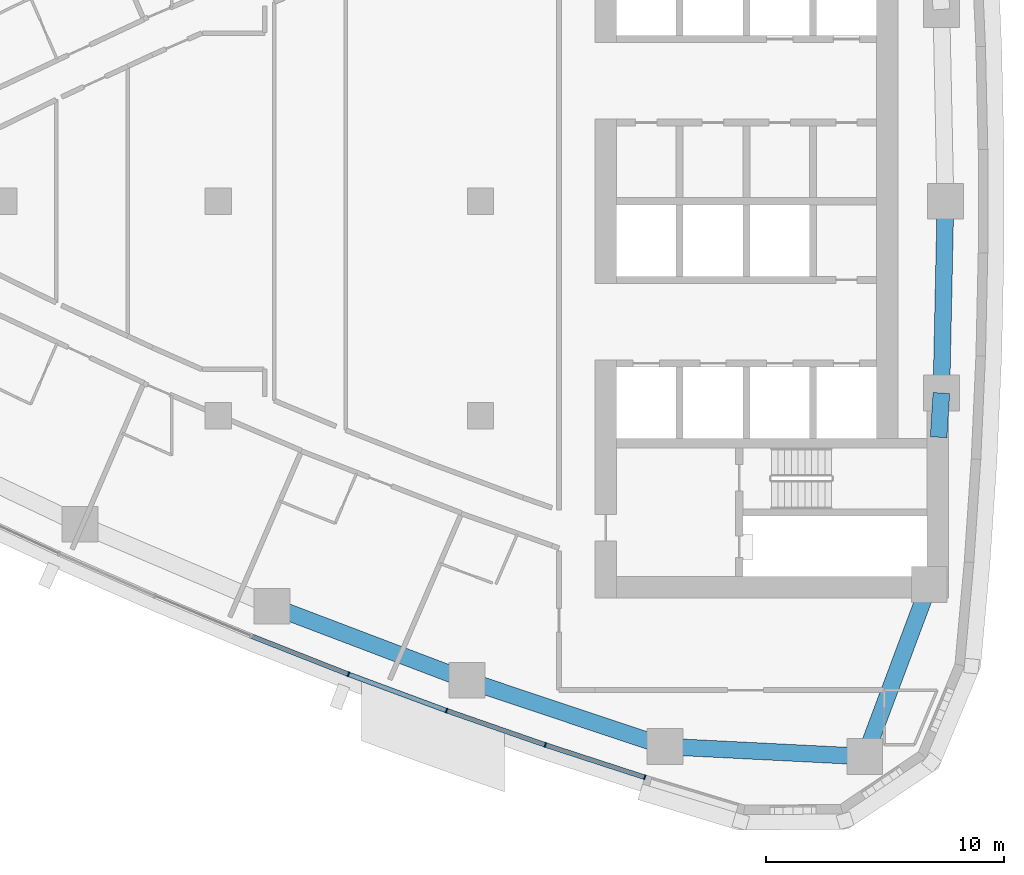
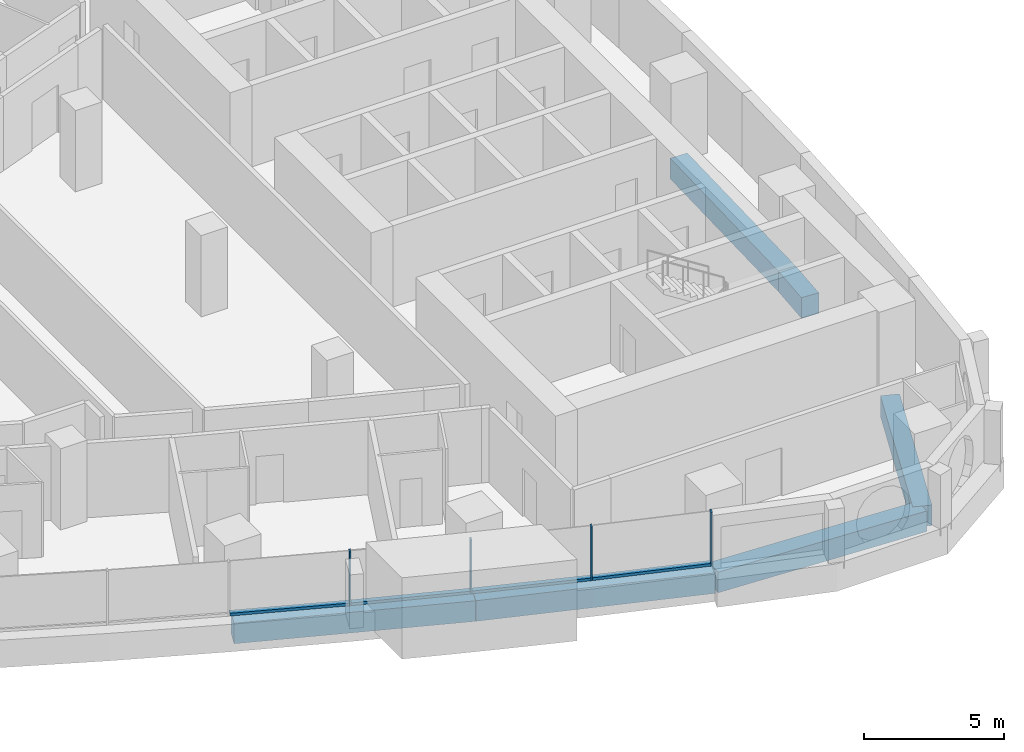
# One storey, part 3 of 17: 8 members, 6 beams, 2 elements without a shape of their own.
"""IFC4 building model written with IfcOpenShell, lengths in metres."""

from ifc_helpers import new_model, si_unit, direction, frame, origin, origin_2d, place, context, subcontext, project, spatial, rectangle, extrude, material, layer, layer_set, material_profile, profile_set, type_object, element, aggregate, save


model = new_model("IFC4")

# Units and contexts
model_context = context("Model", 3, precision=1e-05, world=origin(), true_north=direction((0.0, 1.0)))
body_context = subcontext(model_context, "Body", "Model", "MODEL_VIEW")
ifc_project = project(units=[si_unit("LENGTHUNIT", "METRE"), si_unit("AREAUNIT", "SQUARE_METRE"), si_unit("VOLUMEUNIT", "CUBIC_METRE"), si_unit("PLANEANGLEUNIT", "RADIAN"), si_unit("MASSUNIT", "GRAM", prefix="KILO")], contexts=[model_context])

# Site, building, storey
site_placement = place(None, origin())
site = spatial("IfcSite", under=ifc_project, at=site_placement, CompositionType="ELEMENT")
building_placement = place(site_placement, origin())
building = spatial("IfcBuilding", under=site, at=building_placement, Name="Ostrand Prow Hotel Tower", CompositionType="ELEMENT")
storey_placement = place(building_placement, frame((0.0, 0.0, 144.39990234375)))
storey = spatial("IfcBuildingStorey", under=building, at=storey_placement, Name="L35", CompositionType="ELEMENT", Elevation=144.39990234375)

# Beams
ifc_material_1 = material(Name="Concrete C70/85", Category="concrete")
ifc_material_profile_1 = material_profile(ifc_material_1, rectangle(XDim=0.699951171875, YDim=0.89990234375, at=origin_2d()), Name="RC 700x900")
ifc_profile_set_1 = profile_set([ifc_material_profile_1], Name="Concrete C70/85")
beam_type = type_object("IfcBeamType", Name="Edge beam 700x900 C70/85", PredefinedType="SPANDREL", material=ifc_profile_set_1)
for number, where, z_axis, x_axis, name in (
    (1, (36.255615234375, -16.98388671875, -0.75), (0.93479358236, -0.355191439055, 0.0), (0.355191439055, 0.93479358236, 0.0), "Edge beam S4-S5"),
    (2, (44.438232421875, -20.093017578125, -0.75), (0.948376051094, -0.317148018616, 0.0), (0.317148018616, 0.948376051094, 0.0), "Edge beam S5-S6"),
):
    element("IfcBeam", number, at=place(storey_placement, frame(where, z_axis=z_axis, x_axis=x_axis)), inside=storey, type_object=beam_type, Name=name, PredefinedType="SPANDREL", context=body_context, shape_type="SweptSolid", body=[
        extrude(rectangle(XDim=0.699951171875, YDim=0.89990234375, at=origin_2d()), origin(), (0.0, 0.0, 1.0), 8.75341796875),
    ])
beam_1_placement = place(storey_placement, frame((52.73974609375, -22.869140625, -0.75), z_axis=(0.99873741544, -0.050235196825, 0.0), x_axis=(0.050235196825, 0.99873741544, 0.0)))
element("IfcBeam", 3, at=beam_1_placement, inside=storey, type_object=beam_type, Name="Edge beam S6-SE", PredefinedType="SPANDREL", context=body_context, shape_type="SweptSolid", body=[
    extrude(rectangle(XDim=0.699951171875, YDim=0.89990234375, at=origin_2d()), origin(), (0.0, 0.0, 1.0), 8.38818359375),
])
beam_2_placement = place(storey_placement, frame((61.117431640625, -23.29052734375, -0.75), z_axis=(0.350602524344, 0.93652435629, 0.0), x_axis=(-0.93652435629, 0.350602524344, 0.0)))
element("IfcBeam", 4, at=beam_2_placement, inside=storey, type_object=beam_type, Name="Edge beam SE-B1", PredefinedType="SPANDREL", context=body_context, shape_type="SweptSolid", body=[
    extrude(rectangle(XDim=0.699951171875, YDim=0.89990234375, at=origin_2d()), origin(), (0.0, 0.0, 1.0), 7.037353515625),
])
beam_3_placement = place(storey_placement, frame((64.21142578125, -9.89990234375, -0.75), z_axis=(0.063563790544, 0.997977777574, 0.0), x_axis=(-0.997977777574, 0.063563790544, 0.0)))
element("IfcBeam", 5, at=beam_3_placement, inside=storey, type_object=beam_type, Name="Edge beam B1-B2", PredefinedType="SPANDREL", context=body_context, shape_type="SweptSolid", body=[
    extrude(rectangle(XDim=0.699951171875, YDim=0.89990234375, at=origin_2d()), origin(), (0.0, 0.0, 1.0), 1.85888671875),
])
beam_4_placement = place(storey_placement, frame((64.32958984375, -8.044677734375, -0.75), z_axis=(0.021178217658, 0.999775716397, 0.0), x_axis=(-0.999775716397, 0.021178217658, 0.0)))
element("IfcBeam", 6, at=beam_4_placement, inside=storey, type_object=beam_type, Name="Edge beam B2-B3", PredefinedType="SPANDREL", context=body_context, shape_type="SweptSolid", body=[
    extrude(rectangle(XDim=0.699951171875, YDim=0.89990234375, at=origin_2d()), origin(), (0.0, 0.0, 1.0), 8.04638671875),
])

# Curtain wall, members
ifc_material_2 = material(Name="Insulated glass in bronze anodised frame", Category="glass")
ifc_layer = layer(ifc_material_2, 0.199951171875)
ifc_layer_set = layer_set([ifc_layer], Name="Insulated glass in bronze anodised frame")
curtain_wall_type = type_object("IfcCurtainWallType", Name="Strip curtain wall, fritted glass over bronze spandrel", PredefinedType="NOTDEFINED", material=ifc_layer_set)
curtain_wall_1_placement = place(storey_placement, origin())
curtain_wall_1 = element("IfcCurtainWall", 7, at=curtain_wall_1_placement, inside=storey, type_object=curtain_wall_type, Name="CW1 run CWS4", PredefinedType="NOTDEFINED")
ifc_material_3 = material(Name="Bronze anodised aluminium", Category="aluminium")
ifc_material_profile_2 = material_profile(ifc_material_3, rectangle(XDim=0.199951171875, YDim=0.06005859375, at=origin_2d()), Name="Mullion 60x200 bronze anodised aluminium")
ifc_profile_set_2 = profile_set([ifc_material_profile_2], Name="Bronze anodised aluminium")
member_type_1 = type_object("IfcMemberType", Name="Mullion 60x200 bronze anodised aluminium", PredefinedType="MULLION", material=ifc_profile_set_2)
member_1_placement = place(storey_placement, frame((39.462158203125, -19.8408203125, 0.900146484375), z_axis=(0.0, 0.0, 1.0), x_axis=(0.347341576459, 0.937738678558, 0.0)))
member_1 = element("IfcMember", 8, at=member_1_placement, type_object=member_type_1, Name="CW1 mullion 2", PredefinedType="MULLION", context=body_context, shape_type="SweptSolid", body=[
    extrude(rectangle(XDim=0.199951171875, YDim=0.06005859375, at=origin_2d()), origin(), (0.0, 0.0, 1.0), 2.349853515625),
])
member_2_placement = place(storey_placement, frame((43.5751953125, -21.3642578125, 0.900146484375), z_axis=(0.0, 0.0, 1.0), x_axis=(0.347341576459, 0.937738678558, 0.0)))
member_2 = element("IfcMember", 9, at=member_2_placement, type_object=member_type_1, Name="CW1 mullion 3", PredefinedType="MULLION", context=body_context, shape_type="SweptSolid", body=[
    extrude(rectangle(XDim=0.199951171875, YDim=0.06005859375, at=origin_2d()), origin(), (0.0, 0.0, 1.0), 2.349853515625),
])

curtain_wall_2_placement = place(storey_placement, origin())
curtain_wall_2 = element("IfcCurtainWall", 10, at=curtain_wall_2_placement, inside=storey, type_object=curtain_wall_type, Name="CW1 run CWS5", PredefinedType="NOTDEFINED")
member_3_placement = place(storey_placement, frame((47.718017578125, -22.8046875, 0.900146484375), z_axis=(0.0, 0.0, 1.0), x_axis=(0.309380491373, 0.950938332153, 0.0)))
member_3 = element("IfcMember", 11, at=member_3_placement, type_object=member_type_1, Name="CW1 mullion 2", PredefinedType="MULLION", context=body_context, shape_type="SweptSolid", body=[
    extrude(rectangle(XDim=0.199951171875, YDim=0.06005859375, at=origin_2d()), origin(), (0.0, 0.0, 1.0), 2.349853515625),
])
member_4_placement = place(storey_placement, frame((51.888916015625, -24.16162109375, 0.900146484375), z_axis=(0.0, 0.0, 1.0), x_axis=(0.309380491373, 0.950938332153, 0.0)))
member_4 = element("IfcMember", 12, at=member_4_placement, type_object=member_type_1, Name="CW1 mullion 3", PredefinedType="MULLION", context=body_context, shape_type="SweptSolid", body=[
    extrude(rectangle(XDim=0.199951171875, YDim=0.06005859375, at=origin_2d()), origin(), (0.0, 0.0, 1.0), 2.349853515625),
])

# Member
ifc_material_4 = material(Name="Bronze anodised aluminium", Category="aluminium")
ifc_material_profile_3 = material_profile(ifc_material_4, rectangle(XDim=0.199951171875, YDim=0.1201171875, at=origin_2d()), Name="Transom 120x200 bronze anodised aluminium")
ifc_profile_set_3 = profile_set([ifc_material_profile_3], Name="Bronze anodised aluminium")
member_type_2 = type_object("IfcMemberType", Name="Transom 120x200 bronze anodised aluminium", PredefinedType="USERDEFINED", material=ifc_profile_set_3)
member_5_placement = place(storey_placement, frame((35.408447265625, -18.245849609375, 0.960205078125), z_axis=(0.930563430162, -0.366130717701, 0.0), x_axis=(0.366130717701, 0.930563430162, 0.0)))
member_5 = element("IfcMember", 13, at=member_5_placement, type_object=member_type_2, Name="CW1 transom 1.1", ObjectType="TRANSOM", PredefinedType="USERDEFINED", context=body_context, shape_type="SweptSolid", body=[
    extrude(rectangle(XDim=0.199951171875, YDim=0.1201171875, at=origin_2d()), origin(), (0.0, 0.0, 1.0), 4.326171875),
])

member_6_placement = place(storey_placement, frame((39.490234375, -19.851318359375, 0.960205078125), z_axis=(0.937756929379, -0.347292299657, 0.0), x_axis=(0.347292299657, 0.937756929379, 0.0)))
member_6 = element("IfcMember", 14, at=member_6_placement, type_object=member_type_2, Name="CW1 transom 2.1", ObjectType="TRANSOM", PredefinedType="USERDEFINED", context=body_context, shape_type="SweptSolid", body=[
    extrude(rectangle(XDim=0.199951171875, YDim=0.1201171875, at=origin_2d()), origin(), (0.0, 0.0, 1.0), 4.326171875),
])

aggregate(curtain_wall_1, [member_1, member_2, member_5, member_6])

member_7_placement = place(storey_placement, frame((43.603515625, -21.3740234375, 0.960205078125), z_axis=(0.944524201162, -0.328441826538, 0.0), x_axis=(0.328441826538, 0.944524201162, 0.0)))
member_7 = element("IfcMember", 15, at=member_7_placement, type_object=member_type_2, Name="CW1 transom 1.1", ObjectType="TRANSOM", PredefinedType="USERDEFINED", context=body_context, shape_type="SweptSolid", body=[
    extrude(rectangle(XDim=0.199951171875, YDim=0.1201171875, at=origin_2d()), origin(), (0.0, 0.0, 1.0), 4.326171875),
])

member_8_placement = place(storey_placement, frame((47.74658203125, -22.81396484375, 0.960205078125), z_axis=(0.950938634958, -0.309379560643, 0.0), x_axis=(0.309379560643, 0.950938634958, 0.0)))
member_8 = element("IfcMember", 16, at=member_8_placement, type_object=member_type_2, Name="CW1 transom 2.1", ObjectType="TRANSOM", PredefinedType="USERDEFINED", context=body_context, shape_type="SweptSolid", body=[
    extrude(rectangle(XDim=0.199951171875, YDim=0.1201171875, at=origin_2d()), origin(), (0.0, 0.0, 1.0), 4.325927734375),
])

aggregate(curtain_wall_2, [member_3, member_4, member_7, member_8])

save(model, "model.ifc")
